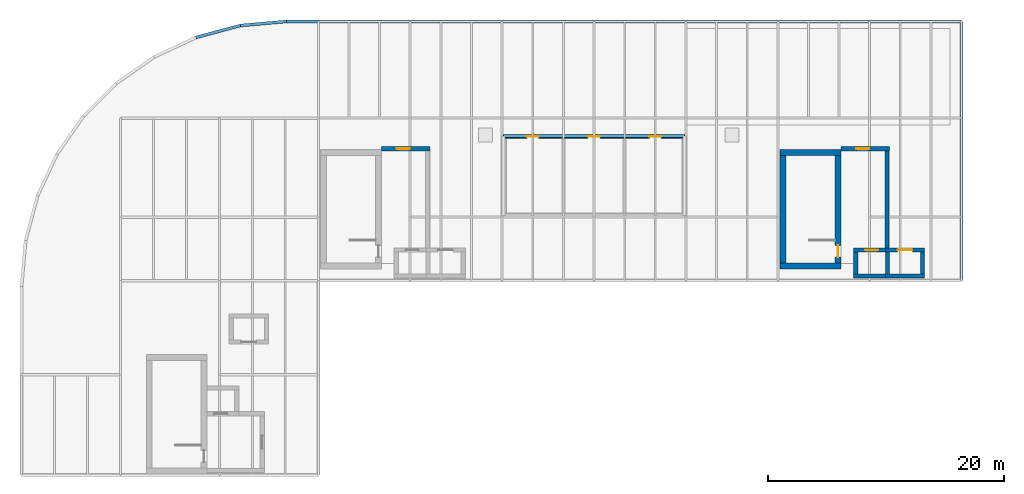
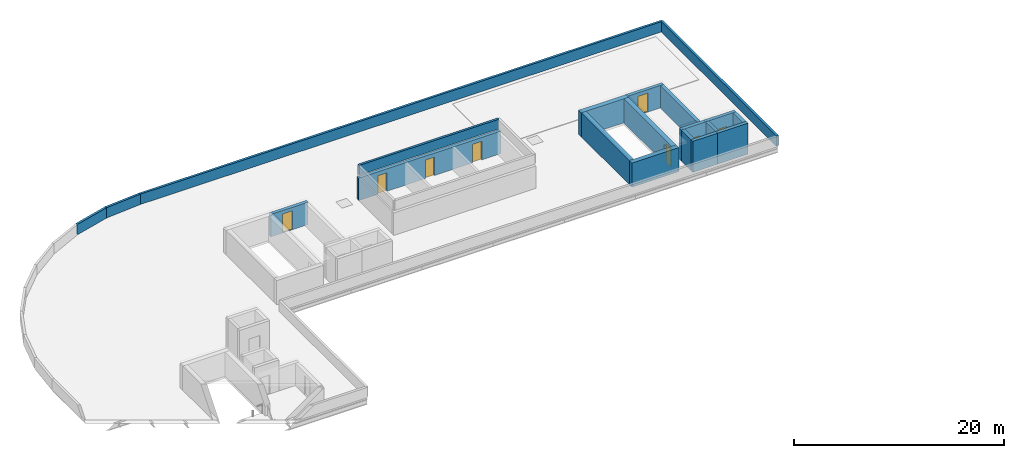
# One storey, part 5 of 9: 20 walls, 8 doors, 8 openings.
"""IFC4 building model written with IfcOpenShell, lengths in metres."""

from ifc_helpers import new_model, si_unit, direction, frame, frame_2d, origin, place, context, subcontext, project, spatial, rectangle, extrude, material, layer, layer_set, type_object, element, fill, save


model = new_model("IFC4")

# Units and contexts
model_context = context("Model", 3, precision=1e-05, world=origin(), true_north=direction((0.0, 1.0)))
body_context = subcontext(model_context, "Body", "Model", "MODEL_VIEW")
ifc_project = project(units=[si_unit("LENGTHUNIT", "METRE"), si_unit("AREAUNIT", "SQUARE_METRE"), si_unit("VOLUMEUNIT", "CUBIC_METRE"), si_unit("PLANEANGLEUNIT", "RADIAN"), si_unit("MASSUNIT", "GRAM", prefix="KILO")], contexts=[model_context])

# Site, building, storey
site_placement = place(None, origin())
site = spatial("IfcSite", under=ifc_project, at=site_placement, CompositionType="ELEMENT")
building_placement = place(site_placement, origin())
building = spatial("IfcBuilding", under=site, at=building_placement, Name="Sefraquen Railside Congress Hotel", CompositionType="ELEMENT")
storey_placement = place(building_placement, frame((0.0, 0.0, 51.60009765625)))
storey = spatial("IfcBuildingStorey", under=building, at=storey_placement, Name="RF", CompositionType="ELEMENT", Elevation=51.60009765625)

# Wall, openings, doors
ifc_material_1 = material(Name="Concrete C50/60", Category="concrete")
ifc_layer_1 = layer(ifc_material_1, 0.35009765625)
ifc_layer_set_1 = layer_set([ifc_layer_1], Name="Concrete C50/60")
wall_type_1 = type_object("IfcWallType", Name="TW-CW-350", PredefinedType="SHEAR", material=ifc_layer_set_1)
wall_1_placement = place(storey_placement, frame((40.800048828125, 108.22509765625, 0.0), z_axis=(0.0, 0.0, 1.0), x_axis=(1.0, 0.0, 0.0)))
wall_1 = element("IfcWall", 1, at=wall_1_placement, inside=storey, type_object=wall_type_1, Name="Rooftop service penthouse wall N", PredefinedType="SHEAR", context=body_context, shape_type="SweptSolid", body=[
    extrude(rectangle(XDim=15.599853515625, YDim=0.35009765625, at=frame_2d((7.7998046875, 0.0))), origin(), (0.0, 0.0, 1.0), 2.599853515625),
])
opening_1_placement = place(wall_1_placement, frame((2.10009765625, 0.0, 0.0)))
opening_1 = element("IfcOpeningElement", 2, at=opening_1_placement, cuts=wall_1, Name="Opening FD-05", PredefinedType="OPENING", context=body_context, shape_type="SweptSolid", body=[
    extrude(rectangle(XDim=1.0, YDim=2.14990234375, at=frame_2d((0.5, 1.074951171875))), frame((0.0, 0.18505859375, 0.0), z_axis=(0.0, -1.0, 0.0), x_axis=(1.0, 0.0, 0.0)), (0.0, 0.0, 1.0), 0.3701171875),
])
opening_2_placement = place(wall_1_placement, frame((7.300048828125, 0.0, 0.0)))
opening_2 = element("IfcOpeningElement", 3, at=opening_2_placement, cuts=wall_1, Name="Opening FD-05", PredefinedType="OPENING", context=body_context, shape_type="SweptSolid", body=[
    extrude(rectangle(XDim=1.0, YDim=2.14990234375, at=frame_2d((0.5, 1.074951171875))), frame((0.0, 0.18505859375, 0.0), z_axis=(0.0, -1.0, 0.0), x_axis=(1.0, 0.0, 0.0)), (0.0, 0.0, 1.0), 0.3701171875),
])
opening_3_placement = place(wall_1_placement, frame((12.5, 0.0, 0.0)))
opening_3 = element("IfcOpeningElement", 4, at=opening_3_placement, cuts=wall_1, Name="Opening FD-05", PredefinedType="OPENING", context=body_context, shape_type="SweptSolid", body=[
    extrude(rectangle(XDim=1.0, YDim=2.14990234375, at=frame_2d((0.5, 1.074951171875))), frame((0.0, 0.18505859375, 0.0), z_axis=(0.0, -1.0, 0.0), x_axis=(1.0, 0.0, 0.0)), (0.0, 0.0, 1.0), 0.3701171875),
])
ifc_material_2 = material(Name="Fire-rated steel", Category="steel")
door_type_1 = type_object("IfcDoorType", Name="TD-FD-05", OperationType="NOTDEFINED", PredefinedType="DOOR", material=ifc_material_2)
door_1_placement = place(opening_1_placement, origin())
door_1 = element("IfcDoor", 5, at=door_1_placement, inside=storey, type_object=door_type_1, Name="Rooftop chiller plant room fire access door", OperationType="SINGLE_SWING_LEFT", OverallHeight=2.14990234375, OverallWidth=1.0, PredefinedType="DOOR", context=body_context, shape_type="SweptSolid", body=[
    extrude(rectangle(XDim=1.0, YDim=2.14990234375, at=frame_2d((0.5, 1.074951171875))), frame((0.0, 0.02490234375, 0.0), z_axis=(0.0, -1.0, 0.0), x_axis=(1.0, 0.0, 0.0)), (0.0, 0.0, 1.0), 0.050048828125),
])
fill(opening_1, door_1)
door_2_placement = place(opening_2_placement, origin())
door_2 = element("IfcDoor", 6, at=door_2_placement, inside=storey, type_object=door_type_1, Name="Rooftop electrical switchgear room fire access door", OperationType="SINGLE_SWING_RIGHT", OverallHeight=2.14990234375, OverallWidth=1.0, PredefinedType="DOOR", context=body_context, shape_type="SweptSolid", body=[
    extrude(rectangle(XDim=1.0, YDim=2.14990234375, at=frame_2d((0.5, 1.074951171875))), frame((0.0, 0.02490234375, 0.0), z_axis=(0.0, -1.0, 0.0), x_axis=(1.0, 0.0, 0.0)), (0.0, 0.0, 1.0), 0.050048828125),
])
fill(opening_2, door_2)
door_3_placement = place(opening_3_placement, origin())
door_3 = element("IfcDoor", 7, at=door_3_placement, inside=storey, type_object=door_type_1, Name="Rooftop maintenance store fire access door", OperationType="SINGLE_SWING_LEFT", OverallHeight=2.14990234375, OverallWidth=1.0, PredefinedType="DOOR", context=body_context, shape_type="SweptSolid", body=[
    extrude(rectangle(XDim=1.0, YDim=2.14990234375, at=frame_2d((0.5, 1.074951171875))), frame((0.0, 0.02490234375, 0.0), z_axis=(0.0, -1.0, 0.0), x_axis=(1.0, 0.0, 0.0)), (0.0, 0.0, 1.0), 0.050048828125),
])
fill(opening_3, door_3)

# Wall, opening, door
wall_2_placement = place(storey_placement, frame((70.639892578125, 98.594970703125, 0.0), z_axis=(0.0, 0.0, 1.0), x_axis=(1.0, 0.0, 0.0)))
wall_2 = element("IfcWall", 8, at=wall_2_placement, inside=storey, type_object=wall_type_1, Name="Lift FL-03 shaft wall N RF", PredefinedType="SHEAR", context=body_context, shape_type="SweptSolid", body=[
    extrude(rectangle(XDim=2.690185546875, YDim=0.35009765625, at=frame_2d((1.34521484375, 0.0))), origin(), (0.0, 0.0, 1.0), 3.599853515625),
])
opening_4_placement = place(wall_2_placement, frame((0.969970703125, 0.0, 0.0)))
opening_4 = element("IfcOpeningElement", 9, at=opening_4_placement, cuts=wall_2, Name="Opening LD-01", PredefinedType="OPENING", context=body_context, shape_type="SweptSolid", body=[
    extrude(rectangle(XDim=1.10009765625, YDim=2.199951171875, at=frame_2d((0.550048828125, 1.10009765625))), frame((0.0, 0.18505859375, 0.0), z_axis=(0.0, -1.0, 0.0), x_axis=(1.0, 0.0, 0.0)), (0.0, 0.0, 1.0), 0.3701171875),
])
ifc_material_3 = material(Name="Brushed bronze stainless steel", Category="steel")
door_type_2 = type_object("IfcDoorType", Name="TD-LD-01", OperationType="NOTDEFINED", PredefinedType="DOOR", material=ifc_material_3)
door_4_placement = place(opening_4_placement, origin())
door_4 = element("IfcDoor", 10, at=door_4_placement, inside=storey, type_object=door_type_2, Name="Lift landing door FL-03 RF", OperationType="SLIDING_TO_LEFT", OverallHeight=2.199951171875, OverallWidth=1.10009765625, PredefinedType="DOOR", context=body_context, shape_type="SweptSolid", body=[
    extrude(rectangle(XDim=1.10009765625, YDim=2.199951171875, at=frame_2d((0.550048828125, 1.10009765625))), frame((0.0, 0.02490234375, 0.0), z_axis=(0.0, -1.0, 0.0), x_axis=(1.0, 0.0, 0.0)), (0.0, 0.0, 1.0), 0.050048828125),
])
fill(opening_4, door_4)

# Walls
wall_3_placement = place(storey_placement, frame((70.639892578125, 96.405029296875, 0.0), z_axis=(0.0, 0.0, 1.0), x_axis=(1.0, 0.0, 0.0)))
element("IfcWall", 11, at=wall_3_placement, inside=storey, type_object=wall_type_1, Name="Lift FL-03 shaft wall S RF", PredefinedType="SHEAR", context=body_context, shape_type="SweptSolid", body=[
    extrude(rectangle(XDim=2.690185546875, YDim=0.35009765625, at=frame_2d((1.34521484375, 0.0))), origin(), (0.0, 0.0, 1.0), 3.599853515625),
])
wall_4_placement = place(storey_placement, frame((70.81494140625, 96.580078125, 0.0), z_axis=(0.0, 0.0, 1.0), x_axis=(0.0, 1.0, 0.0)))
element("IfcWall", 12, at=wall_4_placement, inside=storey, type_object=wall_type_1, Name="Lift FL-03 shaft wall W RF", PredefinedType="SHEAR", context=body_context, shape_type="SweptSolid", body=[
    extrude(rectangle(XDim=1.83984375, YDim=0.35009765625, at=frame_2d((0.919921875, 0.0))), origin(), (0.0, 0.0, 1.0), 3.599853515625),
])

# Wall, opening, door
wall_5_placement = place(storey_placement, frame((73.330078125, 98.594970703125, 0.0), z_axis=(0.0, 0.0, 1.0), x_axis=(1.0, 0.0, 0.0)))
wall_5 = element("IfcWall", 13, at=wall_5_placement, inside=storey, type_object=wall_type_1, Name="Lift PL-05 shaft wall N RF", PredefinedType="SHEAR", context=body_context, shape_type="SweptSolid", body=[
    extrude(rectangle(XDim=3.33984375, YDim=0.35009765625, at=frame_2d((1.669921875, 0.0))), origin(), (0.0, 0.0, 1.0), 3.599853515625),
])
opening_5_placement = place(wall_5_placement, frame((1.044921875, 0.0, 0.0)))
opening_5 = element("IfcOpeningElement", 14, at=opening_5_placement, cuts=wall_5, Name="Opening LD-02", PredefinedType="OPENING", context=body_context, shape_type="SweptSolid", body=[
    extrude(rectangle(XDim=1.25, YDim=2.25, at=frame_2d((0.625, 1.125))), frame((0.0, 0.18505859375, 0.0), z_axis=(0.0, -1.0, 0.0), x_axis=(1.0, 0.0, 0.0)), (0.0, 0.0, 1.0), 0.3701171875),
])
ifc_material_4 = material(Name="Brushed stainless steel", Category="steel")
door_type_3 = type_object("IfcDoorType", Name="TD-LD-02", OperationType="NOTDEFINED", PredefinedType="DOOR", material=ifc_material_4)
door_5_placement = place(opening_5_placement, origin())
door_5 = element("IfcDoor", 15, at=door_5_placement, inside=storey, type_object=door_type_3, Name="Lift landing door PL-05 RF", OperationType="SLIDING_TO_LEFT", OverallHeight=2.25, OverallWidth=1.25, PredefinedType="DOOR", context=body_context, shape_type="SweptSolid", body=[
    extrude(rectangle(XDim=1.25, YDim=2.25, at=frame_2d((0.625, 1.125))), frame((0.0, 0.02490234375, 0.0), z_axis=(0.0, -1.0, 0.0), x_axis=(1.0, 0.0, 0.0)), (0.0, 0.0, 1.0), 0.050048828125),
])
fill(opening_5, door_5)

# Walls
wall_6_placement = place(storey_placement, frame((73.330078125, 96.405029296875, 0.0), z_axis=(0.0, 0.0, 1.0), x_axis=(1.0, 0.0, 0.0)))
element("IfcWall", 16, at=wall_6_placement, inside=storey, type_object=wall_type_1, Name="Lift PL-05 shaft wall S RF", PredefinedType="SHEAR", context=body_context, shape_type="SweptSolid", body=[
    extrude(rectangle(XDim=3.33984375, YDim=0.35009765625, at=frame_2d((1.669921875, 0.0))), origin(), (0.0, 0.0, 1.0), 3.599853515625),
])
for number, where, z_axis, x_axis, name in (
    (17, (73.5048828125, 96.580078125, 0.0), (0.0, 0.0, 1.0), (0.0, 1.0, 0.0), "Lift PL-05 shaft wall W RF"),
    (18, (76.4951171875, 96.580078125, 0.0), (0.0, 0.0, 1.0), (0.0, 1.0, 0.0), "Lift PL-05 shaft wall E RF"),
):
    element("IfcWall", number, at=place(storey_placement, frame(where, z_axis=z_axis, x_axis=x_axis)), inside=storey, type_object=wall_type_1, Name=name, PredefinedType="SHEAR", context=body_context, shape_type="SweptSolid", body=[
        extrude(rectangle(XDim=1.83984375, YDim=0.35009765625, at=frame_2d((0.919921875, 0.0))), origin(), (0.0, 0.0, 1.0), 3.599853515625),
    ])

# Wall, opening, door
wall_7_placement = place(storey_placement, frame((30.56005859375, 107.199951171875, 0.0), z_axis=(0.0, 0.0, 1.0), x_axis=(1.0, 0.0, 0.0)))
wall_7 = element("IfcWall", 19, at=wall_7_placement, inside=storey, type_object=wall_type_1, Name="Firefighting Lift Lobby FFL-02 EI 120 separation wall RF", PredefinedType="SHEAR", context=body_context, shape_type="SweptSolid", body=[
    extrude(rectangle(XDim=4.099853515625, YDim=0.35009765625, at=frame_2d((2.0498046875, 0.0))), origin(), (0.0, 0.0, 1.0), 2.599853515625),
])
opening_6_placement = place(wall_7_placement, frame((1.300048828125, 0.0, 0.0)))
opening_6 = element("IfcOpeningElement", 20, at=opening_6_placement, cuts=wall_7, Name="Opening FD-04", PredefinedType="OPENING", context=body_context, shape_type="SweptSolid", body=[
    extrude(rectangle(XDim=1.10009765625, YDim=2.199951171875, at=frame_2d((0.550048828125, 1.10009765625))), frame((0.0, 0.18505859375, 0.0), z_axis=(0.0, -1.0, 0.0), x_axis=(1.0, 0.0, 0.0)), (0.0, 0.0, 1.0), 0.3701171875),
])
door_type_4 = type_object("IfcDoorType", Name="TD-FD-04", OperationType="NOTDEFINED", PredefinedType="DOOR", material=ifc_material_2)
door_6_placement = place(opening_6_placement, origin())
door_6 = element("IfcDoor", 21, at=door_6_placement, inside=storey, type_object=door_type_4, Name="Firefighting Lift Lobby FFL-02 self-closing fire door RF", OperationType="SINGLE_SWING_RIGHT", OverallHeight=2.199951171875, OverallWidth=1.10009765625, PredefinedType="DOOR", context=body_context, shape_type="SweptSolid", body=[
    extrude(rectangle(XDim=1.10009765625, YDim=2.199951171875, at=frame_2d((0.550048828125, 1.10009765625))), frame((0.0, 0.02490234375, 0.0), z_axis=(0.0, -1.0, 0.0), x_axis=(1.0, 0.0, 0.0)), (0.0, 0.0, 1.0), 0.050048828125),
])
fill(opening_6, door_6)

# Wall
wall_8_placement = place(storey_placement, frame((73.47998046875, 98.780029296875, 0.0), z_axis=(0.0, 0.0, 1.0), x_axis=(0.0, 1.0, 0.0)))
element("IfcWall", 22, at=wall_8_placement, inside=storey, type_object=wall_type_1, Name="Firefighting Lift Lobby FFL-03 east fire wall RF", PredefinedType="SHEAR", context=body_context, shape_type="SweptSolid", body=[
    extrude(rectangle(XDim=8.239990234375, YDim=0.35009765625, at=frame_2d((4.1201171875, 0.0))), origin(), (0.0, 0.0, 1.0), 2.599853515625),
])

# Wall, opening, door
wall_9_placement = place(storey_placement, frame((69.56005859375, 107.199951171875, 0.0), z_axis=(0.0, 0.0, 1.0), x_axis=(1.0, 0.0, 0.0)))
wall_9 = element("IfcWall", 23, at=wall_9_placement, inside=storey, type_object=wall_type_1, Name="Firefighting Lift Lobby FFL-03 EI 120 separation wall RF", PredefinedType="SHEAR", context=body_context, shape_type="SweptSolid", body=[
    extrude(rectangle(XDim=4.099853515625, YDim=0.35009765625, at=frame_2d((2.0498046875, 0.0))), origin(), (0.0, 0.0, 1.0), 2.599853515625),
])
opening_7_placement = place(wall_9_placement, frame((1.300048828125, 0.0, 0.0)))
opening_7 = element("IfcOpeningElement", 24, at=opening_7_placement, cuts=wall_9, Name="Opening FD-04", PredefinedType="OPENING", context=body_context, shape_type="SweptSolid", body=[
    extrude(rectangle(XDim=1.10009765625, YDim=2.199951171875, at=frame_2d((0.550048828125, 1.10009765625))), frame((0.0, 0.18505859375, 0.0), z_axis=(0.0, -1.0, 0.0), x_axis=(1.0, 0.0, 0.0)), (0.0, 0.0, 1.0), 0.3701171875),
])
door_7_placement = place(opening_7_placement, origin())
door_7 = element("IfcDoor", 25, at=door_7_placement, inside=storey, type_object=door_type_4, Name="Firefighting Lift Lobby FFL-03 self-closing fire door RF", OperationType="SINGLE_SWING_RIGHT", OverallHeight=2.199951171875, OverallWidth=1.10009765625, PredefinedType="DOOR", context=body_context, shape_type="SweptSolid", body=[
    extrude(rectangle(XDim=1.10009765625, YDim=2.199951171875, at=frame_2d((0.550048828125, 1.10009765625))), frame((0.0, 0.02490234375, 0.0), z_axis=(0.0, -1.0, 0.0), x_axis=(1.0, 0.0, 0.0)), (0.0, 0.0, 1.0), 0.050048828125),
])
fill(opening_7, door_7)

# Walls
ifc_layer_2 = layer(ifc_material_1, 0.5)
ifc_layer_set_2 = layer_set([ifc_layer_2], Name="Concrete C50/60")
wall_type_2 = type_object("IfcWallType", Name="TW-CW-500", PredefinedType="SHEAR", material=ifc_layer_set_2)
for number, where, z_axis, x_axis, name in (
    (26, (64.39990234375, 106.862060546875, 0.0), (0.0, 0.0, 1.0), (1.0, 0.0, 0.0), "Core shear wall ST-H03 N RF"),
    (27, (64.39990234375, 97.25, 0.0), (0.0, 0.0, 1.0), (1.0, 0.0, 0.0), "Core shear wall ST-H03 S RF"),
):
    element("IfcWall", number, at=place(storey_placement, frame(where, z_axis=z_axis, x_axis=x_axis)), inside=storey, type_object=wall_type_2, Name=name, PredefinedType="SHEAR", context=body_context, shape_type="SweptSolid", body=[
        extrude(rectangle(XDim=5.16015625, YDim=0.5, at=frame_2d((2.580078125, 0.0))), origin(), (0.0, 0.0, 1.0), 2.7998046875),
    ])
wall_10_placement = place(storey_placement, frame((64.64990234375, 97.5, 0.0), z_axis=(0.0, 0.0, 1.0), x_axis=(0.0, 1.0, 0.0)))
element("IfcWall", 28, at=wall_10_placement, inside=storey, type_object=wall_type_2, Name="Core shear wall ST-H03 W RF", PredefinedType="SHEAR", context=body_context, shape_type="SweptSolid", body=[
    extrude(rectangle(XDim=9.112060546875, YDim=0.5, at=frame_2d((4.55615234375, 0.0))), origin(), (0.0, 0.0, 1.0), 2.7998046875),
])

# Wall, opening, door
wall_11_placement = place(storey_placement, frame((69.31005859375, 97.5, 0.0), z_axis=(0.0, 0.0, 1.0), x_axis=(0.0, 1.0, 0.0)))
wall_11 = element("IfcWall", 29, at=wall_11_placement, inside=storey, type_object=wall_type_2, Name="Core shear wall ST-H03 E RF", PredefinedType="SHEAR", context=body_context, shape_type="SweptSolid", body=[
    extrude(rectangle(XDim=9.112060546875, YDim=0.5, at=frame_2d((4.55615234375, 0.0))), origin(), (0.0, 0.0, 1.0), 2.7998046875),
])
opening_8_placement = place(wall_11_placement, frame((0.489990234375, 0.0, 0.0)))
opening_8 = element("IfcOpeningElement", 30, at=opening_8_placement, cuts=wall_11, Name="Opening FD-05", PredefinedType="OPENING", context=body_context, shape_type="SweptSolid", body=[
    extrude(rectangle(XDim=1.0, YDim=2.14990234375, at=frame_2d((0.5, 1.074951171875))), frame((0.0, 0.260009765625, 0.0), z_axis=(0.0, -1.0, 0.0), x_axis=(1.0, 0.0, 0.0)), (0.0, 0.0, 1.0), 0.52001953125),
])
door_8_placement = place(opening_8_placement, origin())
door_8 = element("IfcDoor", 31, at=door_8_placement, inside=storey, type_object=door_type_1, Name="Pressurized stair ST-H03 rooftop access door RF", OperationType="SINGLE_SWING_RIGHT", OverallHeight=2.14990234375, OverallWidth=1.0, PredefinedType="DOOR", context=body_context, shape_type="SweptSolid", body=[
    extrude(rectangle(XDim=1.0, YDim=2.14990234375, at=frame_2d((0.5, 1.074951171875))), frame((0.0, 0.02490234375, 0.0), z_axis=(0.0, -1.0, 0.0), x_axis=(1.0, 0.0, 0.0)), (0.0, 0.0, 1.0), 0.050048828125),
])
fill(opening_8, door_8)

# Walls
ifc_material_5 = material(Name="Precast concrete C40/50", Category="concrete")
ifc_layer_3 = layer(ifc_material_5, 0.25)
ifc_layer_set_3 = layer_set([ifc_layer_3], Name="Precast concrete C40/50")
wall_type_3 = type_object("IfcWallType", Name="TW-PA-250", PredefinedType="PARAPET", material=ifc_layer_set_3)
wall_12_placement = place(storey_placement, frame((79.800048828125, 96.0, 0.0), z_axis=(0.0, 0.0, 1.0), x_axis=(0.0, 1.0, 0.0)))
element("IfcWall", 32, at=wall_12_placement, inside=storey, type_object=wall_type_3, Name="Hotel Crown RF perimeter parapet 04", PredefinedType="PARAPET", context=body_context, shape_type="SweptSolid", body=[
    extrude(rectangle(XDim=22.0, YDim=0.25, at=frame_2d((11.0, 0.0))), origin(), (0.0, 0.0, 1.0), 1.199951171875),
])
wall_13_placement = place(storey_placement, frame((79.800048828125, 118.0, 0.0), z_axis=(0.0, 0.0, 1.0), x_axis=(-1.0, 0.0, 0.0)))
element("IfcWall", 33, at=wall_13_placement, inside=storey, type_object=wall_type_3, Name="Hotel Crown RF perimeter parapet 05", PredefinedType="PARAPET", context=body_context, shape_type="SweptSolid", body=[
    extrude(rectangle(XDim=57.300048828125, YDim=0.25, at=frame_2d((28.64990234375, 0.0))), origin(), (0.0, 0.0, 1.0), 1.199951171875),
])
wall_14_placement = place(storey_placement, frame((22.5, 118.0, 0.0), z_axis=(0.0, 0.0, 1.0), x_axis=(-0.996195136317, -0.087150733665, 0.0)))
element("IfcWall", 34, at=wall_14_placement, inside=storey, type_object=wall_type_3, Name="Hotel Crown RF perimeter parapet 06", PredefinedType="PARAPET", context=body_context, shape_type="SweptSolid", body=[
    extrude(rectangle(XDim=3.921875, YDim=0.25, at=frame_2d((1.9609375, 0.0))), origin(), (0.0, 0.0, 1.0), 1.199951171875),
])
wall_15_placement = place(storey_placement, frame((18.593017578125, 117.658203125, 0.0), z_axis=(0.0, 0.0, 1.0), x_axis=(-0.965926379777, -0.25881697945, 0.0)))
element("IfcWall", 35, at=wall_15_placement, inside=storey, type_object=wall_type_3, Name="Hotel Crown RF perimeter parapet 07", PredefinedType="PARAPET", context=body_context, shape_type="SweptSolid", body=[
    extrude(rectangle(XDim=3.922119140625, YDim=0.25, at=frame_2d((1.9609375, 0.0))), origin(), (0.0, 0.0, 1.0), 1.199951171875),
])
ifc_layer_4 = layer(ifc_material_5, 0.25)
ifc_layer_set_4 = layer_set([ifc_layer_4], Name="Precast concrete C40/50")
wall_type_4 = type_object("IfcWallType", Name="TW-SH-250", PredefinedType="PARAPET", material=ifc_layer_set_4)
wall_16_placement = place(storey_placement, frame((56.280029296875, 108.280029296875, 2.85986328125), z_axis=(0.0, 0.0, 1.0), x_axis=(-1.0, 0.0, 0.0)))
element("IfcWall", 36, at=wall_16_placement, inside=storey, type_object=wall_type_4, Name="Rooftop plant housing fire-rated parapet 3", PredefinedType="PARAPET", context=body_context, shape_type="SweptSolid", body=[
    extrude(rectangle(XDim=15.360107421875, YDim=0.25, at=frame_2d((7.68017578125, 0.0))), origin(), (0.0, 0.0, 1.0), 1.1201171875),
])

save(model, "model.ifc")
